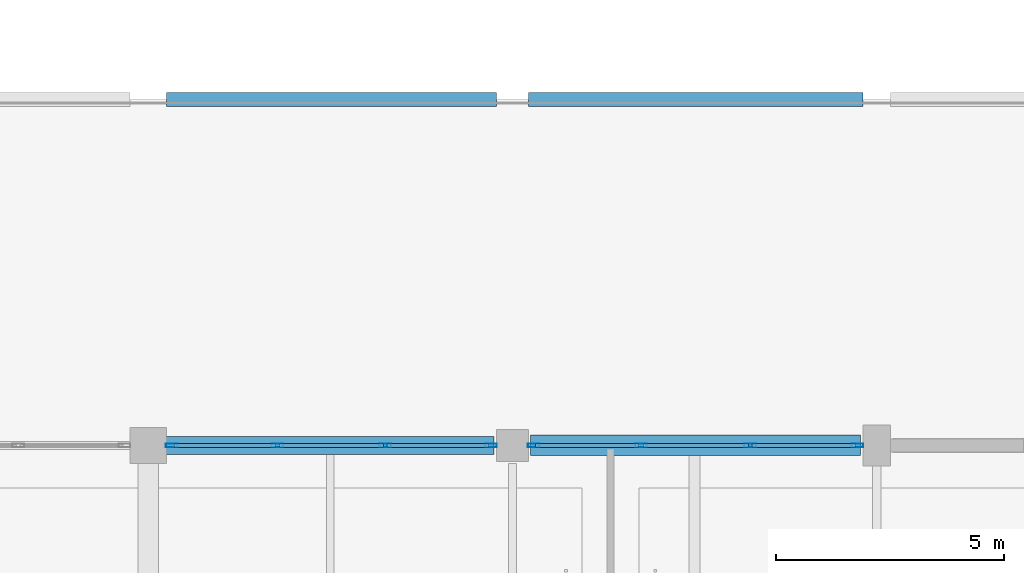
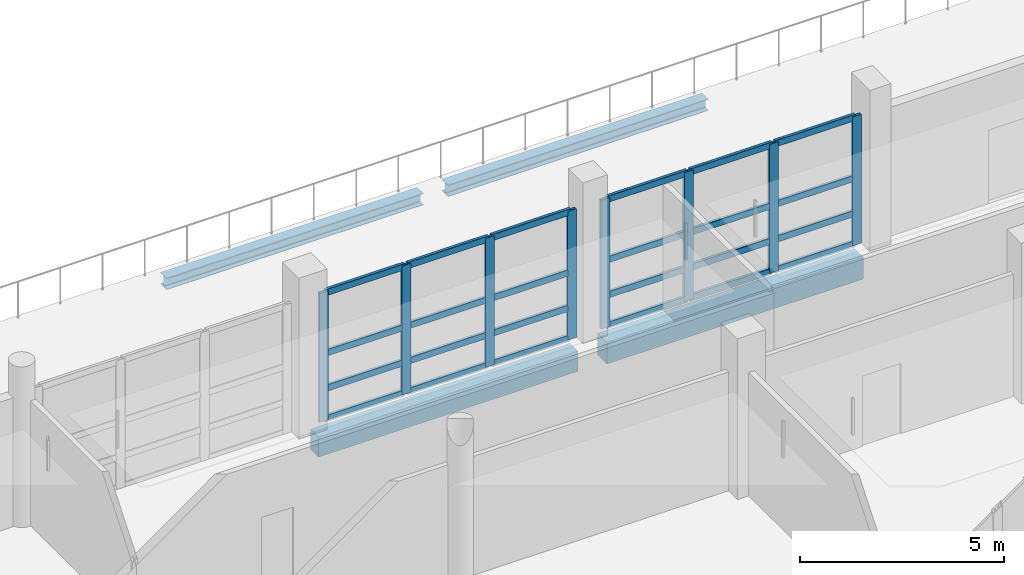
# One storey, part 31 of 147: 32 members, 4 beams, 2 elements without a shape of their own.
"""IFC4 building model written with IfcOpenShell, lengths in metres."""

from ifc_helpers import new_model, si_unit, direction, frame, origin, origin_2d, place, context, subcontext, project, spatial, rectangle, hollow_rectangle, i_section, extrude, material, material_profile, profile_set, type_object, element, aggregate, save


model = new_model("IFC4")

# Units and contexts
model_context = context("Model", 3, precision=1e-05, world=origin(), true_north=direction((0.0, 1.0)))
body_context = subcontext(model_context, "Body", "Model", "MODEL_VIEW")
ifc_project = project(units=[si_unit("LENGTHUNIT", "METRE"), si_unit("AREAUNIT", "SQUARE_METRE"), si_unit("VOLUMEUNIT", "CUBIC_METRE"), si_unit("PLANEANGLEUNIT", "RADIAN"), si_unit("MASSUNIT", "GRAM", prefix="KILO")], contexts=[model_context])

# Site, building, storey
site_placement = place(None, origin())
site = spatial("IfcSite", under=ifc_project, at=site_placement, CompositionType="ELEMENT")
building_placement = place(site_placement, origin())
building = spatial("IfcBuilding", under=site, at=building_placement, Name="Khelvaren Railside Concert Hall", CompositionType="ELEMENT")
storey_placement = place(building_placement, frame((0.0, 0.0, 5.39990234375)))
storey = spatial("IfcBuildingStorey", under=building, at=storey_placement, Name="L01", CompositionType="ELEMENT", Elevation=5.39990234375)

# Curtain wall, members
ifc_material_1 = material(Name="Acoustic laminated crystal facade glass", Category="glass")
curtain_wall_type_1 = type_object("IfcCurtainWallType", Name="CW21", PredefinedType="USERDEFINED", material=ifc_material_1)
curtain_wall_1_placement = place(storey_placement, origin())
curtain_wall_1 = element("IfcCurtainWall", 1, at=curtain_wall_1_placement, inside=storey, type_object=curtain_wall_type_1, Name="Unitised Curtain Wall CW-V3-L01-N-96", ObjectType="UNITISED CURTAIN WALL", PredefinedType="USERDEFINED")
ifc_material_2 = material(Name="Anodised architectural aluminium 6063-T6", Category="aluminium")
ifc_material_profile_1 = material_profile(ifc_material_2, hollow_rectangle(XDim=0.0849609375, YDim=0.260009765625, WallThickness=0.0048828125, InnerFilletRadius=0.0029296875, OuterFilletRadius=0.0048828125, at=origin_2d()), Name="CWM 85x260x5")
ifc_profile_set_1 = profile_set([ifc_material_profile_1], Name="Anodised architectural aluminium 6063-T6")
member_type_1 = type_object("IfcMemberType", Name="CWM40", PredefinedType="MULLION", material=ifc_profile_set_1)
member_1_placement = place(storey_placement, frame((96.52001953125, 15.199951171875, 0.0), z_axis=(0.0, 0.0, 1.0), x_axis=(0.0, 1.0, 0.0)))
member_1 = element("IfcMember", 2, at=member_1_placement, type_object=member_type_1, Name="CW21 mullion 1", PredefinedType="MULLION", context=body_context, shape_type="SweptSolid", body=[
    extrude(hollow_rectangle(XDim=0.0849609375, YDim=0.260009765625, WallThickness=0.0048828125, InnerFilletRadius=0.0029296875, OuterFilletRadius=0.0048828125, at=origin_2d()), origin(), (0.0, 0.0, 1.0), 3.85009765625),
])
member_2_placement = place(storey_placement, frame((98.842529296875, 15.199951171875, 0.0), z_axis=(0.0, 0.0, 1.0), x_axis=(0.0, 1.0, 0.0)))
member_2 = element("IfcMember", 3, at=member_2_placement, type_object=member_type_1, Name="CW21 mullion 2", PredefinedType="MULLION", context=body_context, shape_type="SweptSolid", body=[
    extrude(hollow_rectangle(XDim=0.0849609375, YDim=0.260009765625, WallThickness=0.0048828125, InnerFilletRadius=0.0029296875, OuterFilletRadius=0.0048828125, at=origin_2d()), origin(), (0.0, 0.0, 1.0), 3.85009765625),
])
member_3_placement = place(storey_placement, frame((101.20751953125, 15.199951171875, 0.0), z_axis=(0.0, 0.0, 1.0), x_axis=(0.0, 1.0, 0.0)))
member_3 = element("IfcMember", 4, at=member_3_placement, type_object=member_type_1, Name="CW21 mullion 3", PredefinedType="MULLION", context=body_context, shape_type="SweptSolid", body=[
    extrude(hollow_rectangle(XDim=0.0849609375, YDim=0.260009765625, WallThickness=0.0048828125, InnerFilletRadius=0.0029296875, OuterFilletRadius=0.0048828125, at=origin_2d()), origin(), (0.0, 0.0, 1.0), 3.85009765625),
])
member_4_placement = place(storey_placement, frame((103.530029296875, 15.199951171875, 0.0), z_axis=(0.0, 0.0, 1.0), x_axis=(0.0, 1.0, 0.0)))
member_4 = element("IfcMember", 5, at=member_4_placement, type_object=member_type_1, Name="CW21 mullion 4", PredefinedType="MULLION", context=body_context, shape_type="SweptSolid", body=[
    extrude(hollow_rectangle(XDim=0.0849609375, YDim=0.260009765625, WallThickness=0.0048828125, InnerFilletRadius=0.0029296875, OuterFilletRadius=0.0048828125, at=origin_2d()), origin(), (0.0, 0.0, 1.0), 3.85009765625),
])

curtain_wall_type_2 = type_object("IfcCurtainWallType", Name="CW15", PredefinedType="USERDEFINED", material=ifc_material_1)
curtain_wall_2_placement = place(storey_placement, origin())
curtain_wall_2 = element("IfcCurtainWall", 6, at=curtain_wall_2_placement, inside=storey, type_object=curtain_wall_type_2, Name="Unitised Curtain Wall CW-V3-L01-N-104", ObjectType="UNITISED CURTAIN WALL", PredefinedType="USERDEFINED")
member_5_placement = place(storey_placement, frame((104.469970703125, 15.199951171875, 0.0), z_axis=(0.0, 0.0, 1.0), x_axis=(0.0, 1.0, 0.0)))
member_5 = element("IfcMember", 7, at=member_5_placement, type_object=member_type_1, Name="CW15 mullion 1", PredefinedType="MULLION", context=body_context, shape_type="SweptSolid", body=[
    extrude(hollow_rectangle(XDim=0.0849609375, YDim=0.260009765625, WallThickness=0.0048828125, InnerFilletRadius=0.0029296875, OuterFilletRadius=0.0048828125, at=origin_2d()), origin(), (0.0, 0.0, 1.0), 3.85009765625),
])
member_6_placement = place(storey_placement, frame((106.825927734375, 15.199951171875, 0.0), z_axis=(0.0, 0.0, 1.0), x_axis=(0.0, 1.0, 0.0)))
member_6 = element("IfcMember", 8, at=member_6_placement, type_object=member_type_1, Name="CW15 mullion 2", PredefinedType="MULLION", context=body_context, shape_type="SweptSolid", body=[
    extrude(hollow_rectangle(XDim=0.0849609375, YDim=0.260009765625, WallThickness=0.0048828125, InnerFilletRadius=0.0029296875, OuterFilletRadius=0.0048828125, at=origin_2d()), origin(), (0.0, 0.0, 1.0), 3.85009765625),
])
member_7_placement = place(storey_placement, frame((109.22412109375, 15.199951171875, 0.0), z_axis=(0.0, 0.0, 1.0), x_axis=(0.0, 1.0, 0.0)))
member_7 = element("IfcMember", 9, at=member_7_placement, type_object=member_type_1, Name="CW15 mullion 3", PredefinedType="MULLION", context=body_context, shape_type="SweptSolid", body=[
    extrude(hollow_rectangle(XDim=0.0849609375, YDim=0.260009765625, WallThickness=0.0048828125, InnerFilletRadius=0.0029296875, OuterFilletRadius=0.0048828125, at=origin_2d()), origin(), (0.0, 0.0, 1.0), 3.85009765625),
])
member_8_placement = place(storey_placement, frame((111.580078125, 15.199951171875, 0.0), z_axis=(0.0, 0.0, 1.0), x_axis=(0.0, 1.0, 0.0)))
member_8 = element("IfcMember", 10, at=member_8_placement, type_object=member_type_1, Name="CW15 mullion 4", PredefinedType="MULLION", context=body_context, shape_type="SweptSolid", body=[
    extrude(hollow_rectangle(XDim=0.0849609375, YDim=0.260009765625, WallThickness=0.0048828125, InnerFilletRadius=0.0029296875, OuterFilletRadius=0.0048828125, at=origin_2d()), origin(), (0.0, 0.0, 1.0), 3.85009765625),
])

# Member
ifc_material_profile_2 = material_profile(ifc_material_2, hollow_rectangle(XDim=0.0849609375, YDim=0.18994140625, WallThickness=0.0048828125, InnerFilletRadius=0.0029296875, OuterFilletRadius=0.0048828125, at=origin_2d()), Name="CWT 85x190x5")
ifc_profile_set_2 = profile_set([ifc_material_profile_2], Name="Anodised architectural aluminium 6063-T6")
member_type_2 = type_object("IfcMemberType", Name="CWT31", PredefinedType="USERDEFINED", material=ifc_profile_set_2)
member_9_placement = place(storey_placement, frame((96.5625, 15.199951171875, 0.04248046875), z_axis=(1.0, 0.0, 0.0), x_axis=(0.0, 1.0, 0.0)))
member_9 = element("IfcMember", 11, at=member_9_placement, type_object=member_type_2, Name="CW21 transom 1.1", ObjectType="TRANSOM", PredefinedType="USERDEFINED", context=body_context, shape_type="SweptSolid", body=[
    extrude(hollow_rectangle(XDim=0.0849609375, YDim=0.18994140625, WallThickness=0.0048828125, InnerFilletRadius=0.0029296875, OuterFilletRadius=0.0048828125, at=origin_2d()), origin(), (0.0, 0.0, 1.0), 2.237548828125),
])

member_10_placement = place(storey_placement, frame((96.5625, 15.199951171875, 0.9501953125), z_axis=(1.0, 0.0, 0.0), x_axis=(0.0, 1.0, 0.0)))
member_10 = element("IfcMember", 12, at=member_10_placement, type_object=member_type_2, Name="CW21 transom 1.2", ObjectType="TRANSOM", PredefinedType="USERDEFINED", context=body_context, shape_type="SweptSolid", body=[
    extrude(hollow_rectangle(XDim=0.0849609375, YDim=0.18994140625, WallThickness=0.0048828125, InnerFilletRadius=0.0029296875, OuterFilletRadius=0.0048828125, at=origin_2d()), origin(), (0.0, 0.0, 1.0), 2.237548828125),
])

member_11_placement = place(storey_placement, frame((96.5625, 15.199951171875, 2.002197265625), z_axis=(1.0, 0.0, 0.0), x_axis=(0.0, 1.0, 0.0)))
member_11 = element("IfcMember", 13, at=member_11_placement, type_object=member_type_2, Name="CW21 transom 1.3", ObjectType="TRANSOM", PredefinedType="USERDEFINED", context=body_context, shape_type="SweptSolid", body=[
    extrude(hollow_rectangle(XDim=0.0849609375, YDim=0.18994140625, WallThickness=0.0048828125, InnerFilletRadius=0.0029296875, OuterFilletRadius=0.0048828125, at=origin_2d()), origin(), (0.0, 0.0, 1.0), 2.237548828125),
])

member_12_placement = place(storey_placement, frame((96.5625, 15.199951171875, 3.8076171875), z_axis=(1.0, 0.0, 0.0), x_axis=(0.0, 1.0, 0.0)))
member_12 = element("IfcMember", 14, at=member_12_placement, type_object=member_type_2, Name="CW21 transom 1.4", ObjectType="TRANSOM", PredefinedType="USERDEFINED", context=body_context, shape_type="SweptSolid", body=[
    extrude(hollow_rectangle(XDim=0.0849609375, YDim=0.18994140625, WallThickness=0.0048828125, InnerFilletRadius=0.0029296875, OuterFilletRadius=0.0048828125, at=origin_2d()), origin(), (0.0, 0.0, 1.0), 2.237548828125),
])

member_13_placement = place(storey_placement, frame((98.885009765625, 15.199951171875, 0.04248046875), z_axis=(1.0, 0.0, 0.0), x_axis=(0.0, 1.0, 0.0)))
member_13 = element("IfcMember", 15, at=member_13_placement, type_object=member_type_2, Name="CW21 transom 2.1", ObjectType="TRANSOM", PredefinedType="USERDEFINED", context=body_context, shape_type="SweptSolid", body=[
    extrude(hollow_rectangle(XDim=0.0849609375, YDim=0.18994140625, WallThickness=0.0048828125, InnerFilletRadius=0.0029296875, OuterFilletRadius=0.0048828125, at=origin_2d()), origin(), (0.0, 0.0, 1.0), 2.280029296875),
])

member_14_placement = place(storey_placement, frame((98.885009765625, 15.199951171875, 0.9501953125), z_axis=(1.0, 0.0, 0.0), x_axis=(0.0, 1.0, 0.0)))
member_14 = element("IfcMember", 16, at=member_14_placement, type_object=member_type_2, Name="CW21 transom 2.2", ObjectType="TRANSOM", PredefinedType="USERDEFINED", context=body_context, shape_type="SweptSolid", body=[
    extrude(hollow_rectangle(XDim=0.0849609375, YDim=0.18994140625, WallThickness=0.0048828125, InnerFilletRadius=0.0029296875, OuterFilletRadius=0.0048828125, at=origin_2d()), origin(), (0.0, 0.0, 1.0), 2.280029296875),
])

member_15_placement = place(storey_placement, frame((98.885009765625, 15.199951171875, 2.002197265625), z_axis=(1.0, 0.0, 0.0), x_axis=(0.0, 1.0, 0.0)))
member_15 = element("IfcMember", 17, at=member_15_placement, type_object=member_type_2, Name="CW21 transom 2.3", ObjectType="TRANSOM", PredefinedType="USERDEFINED", context=body_context, shape_type="SweptSolid", body=[
    extrude(hollow_rectangle(XDim=0.0849609375, YDim=0.18994140625, WallThickness=0.0048828125, InnerFilletRadius=0.0029296875, OuterFilletRadius=0.0048828125, at=origin_2d()), origin(), (0.0, 0.0, 1.0), 2.280029296875),
])

member_16_placement = place(storey_placement, frame((98.885009765625, 15.199951171875, 3.8076171875), z_axis=(1.0, 0.0, 0.0), x_axis=(0.0, 1.0, 0.0)))
member_16 = element("IfcMember", 18, at=member_16_placement, type_object=member_type_2, Name="CW21 transom 2.4", ObjectType="TRANSOM", PredefinedType="USERDEFINED", context=body_context, shape_type="SweptSolid", body=[
    extrude(hollow_rectangle(XDim=0.0849609375, YDim=0.18994140625, WallThickness=0.0048828125, InnerFilletRadius=0.0029296875, OuterFilletRadius=0.0048828125, at=origin_2d()), origin(), (0.0, 0.0, 1.0), 2.280029296875),
])

member_17_placement = place(storey_placement, frame((101.25, 15.199951171875, 0.04248046875), z_axis=(1.0, 0.0, 0.0), x_axis=(0.0, 1.0, 0.0)))
member_17 = element("IfcMember", 19, at=member_17_placement, type_object=member_type_2, Name="CW21 transom 3.1", ObjectType="TRANSOM", PredefinedType="USERDEFINED", context=body_context, shape_type="SweptSolid", body=[
    extrude(hollow_rectangle(XDim=0.0849609375, YDim=0.18994140625, WallThickness=0.0048828125, InnerFilletRadius=0.0029296875, OuterFilletRadius=0.0048828125, at=origin_2d()), origin(), (0.0, 0.0, 1.0), 2.237548828125),
])

member_18_placement = place(storey_placement, frame((101.25, 15.199951171875, 0.9501953125), z_axis=(1.0, 0.0, 0.0), x_axis=(0.0, 1.0, 0.0)))
member_18 = element("IfcMember", 20, at=member_18_placement, type_object=member_type_2, Name="CW21 transom 3.2", ObjectType="TRANSOM", PredefinedType="USERDEFINED", context=body_context, shape_type="SweptSolid", body=[
    extrude(hollow_rectangle(XDim=0.0849609375, YDim=0.18994140625, WallThickness=0.0048828125, InnerFilletRadius=0.0029296875, OuterFilletRadius=0.0048828125, at=origin_2d()), origin(), (0.0, 0.0, 1.0), 2.237548828125),
])

member_19_placement = place(storey_placement, frame((101.25, 15.199951171875, 2.002197265625), z_axis=(1.0, 0.0, 0.0), x_axis=(0.0, 1.0, 0.0)))
member_19 = element("IfcMember", 21, at=member_19_placement, type_object=member_type_2, Name="CW21 transom 3.3", ObjectType="TRANSOM", PredefinedType="USERDEFINED", context=body_context, shape_type="SweptSolid", body=[
    extrude(hollow_rectangle(XDim=0.0849609375, YDim=0.18994140625, WallThickness=0.0048828125, InnerFilletRadius=0.0029296875, OuterFilletRadius=0.0048828125, at=origin_2d()), origin(), (0.0, 0.0, 1.0), 2.237548828125),
])

member_20_placement = place(storey_placement, frame((101.25, 15.199951171875, 3.8076171875), z_axis=(1.0, 0.0, 0.0), x_axis=(0.0, 1.0, 0.0)))
member_20 = element("IfcMember", 22, at=member_20_placement, type_object=member_type_2, Name="CW21 transom 3.4", ObjectType="TRANSOM", PredefinedType="USERDEFINED", context=body_context, shape_type="SweptSolid", body=[
    extrude(hollow_rectangle(XDim=0.0849609375, YDim=0.18994140625, WallThickness=0.0048828125, InnerFilletRadius=0.0029296875, OuterFilletRadius=0.0048828125, at=origin_2d()), origin(), (0.0, 0.0, 1.0), 2.237548828125),
])

aggregate(curtain_wall_1, [member_1, member_2, member_3, member_4, member_9, member_10, member_11, member_12, member_13, member_14, member_15, member_16, member_17, member_18, member_19, member_20])

member_21_placement = place(storey_placement, frame((104.512451171875, 15.199951171875, 0.04248046875), z_axis=(1.0, 0.0, 0.0), x_axis=(0.0, 1.0, 0.0)))
member_21 = element("IfcMember", 23, at=member_21_placement, type_object=member_type_2, Name="CW15 transom 1.1", ObjectType="TRANSOM", PredefinedType="USERDEFINED", context=body_context, shape_type="SweptSolid", body=[
    extrude(hollow_rectangle(XDim=0.0849609375, YDim=0.18994140625, WallThickness=0.0048828125, InnerFilletRadius=0.0029296875, OuterFilletRadius=0.0048828125, at=origin_2d()), origin(), (0.0, 0.0, 1.0), 2.27099609375),
])

member_22_placement = place(storey_placement, frame((104.512451171875, 15.199951171875, 0.9501953125), z_axis=(1.0, 0.0, 0.0), x_axis=(0.0, 1.0, 0.0)))
member_22 = element("IfcMember", 24, at=member_22_placement, type_object=member_type_2, Name="CW15 transom 1.2", ObjectType="TRANSOM", PredefinedType="USERDEFINED", context=body_context, shape_type="SweptSolid", body=[
    extrude(hollow_rectangle(XDim=0.0849609375, YDim=0.18994140625, WallThickness=0.0048828125, InnerFilletRadius=0.0029296875, OuterFilletRadius=0.0048828125, at=origin_2d()), origin(), (0.0, 0.0, 1.0), 2.27099609375),
])

member_23_placement = place(storey_placement, frame((104.512451171875, 15.199951171875, 2.002197265625), z_axis=(1.0, 0.0, 0.0), x_axis=(0.0, 1.0, 0.0)))
member_23 = element("IfcMember", 25, at=member_23_placement, type_object=member_type_2, Name="CW15 transom 1.3", ObjectType="TRANSOM", PredefinedType="USERDEFINED", context=body_context, shape_type="SweptSolid", body=[
    extrude(hollow_rectangle(XDim=0.0849609375, YDim=0.18994140625, WallThickness=0.0048828125, InnerFilletRadius=0.0029296875, OuterFilletRadius=0.0048828125, at=origin_2d()), origin(), (0.0, 0.0, 1.0), 2.27099609375),
])

member_24_placement = place(storey_placement, frame((104.512451171875, 15.199951171875, 3.8076171875), z_axis=(1.0, 0.0, 0.0), x_axis=(0.0, 1.0, 0.0)))
member_24 = element("IfcMember", 26, at=member_24_placement, type_object=member_type_2, Name="CW15 transom 1.4", ObjectType="TRANSOM", PredefinedType="USERDEFINED", context=body_context, shape_type="SweptSolid", body=[
    extrude(hollow_rectangle(XDim=0.0849609375, YDim=0.18994140625, WallThickness=0.0048828125, InnerFilletRadius=0.0029296875, OuterFilletRadius=0.0048828125, at=origin_2d()), origin(), (0.0, 0.0, 1.0), 2.27099609375),
])

member_25_placement = place(storey_placement, frame((106.868408203125, 15.199951171875, 0.04248046875), z_axis=(1.0, 0.0, 0.0), x_axis=(0.0, 1.0, 0.0)))
member_25 = element("IfcMember", 27, at=member_25_placement, type_object=member_type_2, Name="CW15 transom 2.1", ObjectType="TRANSOM", PredefinedType="USERDEFINED", context=body_context, shape_type="SweptSolid", body=[
    extrude(hollow_rectangle(XDim=0.0849609375, YDim=0.18994140625, WallThickness=0.0048828125, InnerFilletRadius=0.0029296875, OuterFilletRadius=0.0048828125, at=origin_2d()), origin(), (0.0, 0.0, 1.0), 2.313232421875),
])

member_26_placement = place(storey_placement, frame((106.868408203125, 15.199951171875, 0.9501953125), z_axis=(1.0, 0.0, 0.0), x_axis=(0.0, 1.0, 0.0)))
member_26 = element("IfcMember", 28, at=member_26_placement, type_object=member_type_2, Name="CW15 transom 2.2", ObjectType="TRANSOM", PredefinedType="USERDEFINED", context=body_context, shape_type="SweptSolid", body=[
    extrude(hollow_rectangle(XDim=0.0849609375, YDim=0.18994140625, WallThickness=0.0048828125, InnerFilletRadius=0.0029296875, OuterFilletRadius=0.0048828125, at=origin_2d()), origin(), (0.0, 0.0, 1.0), 2.313232421875),
])

member_27_placement = place(storey_placement, frame((106.868408203125, 15.199951171875, 2.002197265625), z_axis=(1.0, 0.0, 0.0), x_axis=(0.0, 1.0, 0.0)))
member_27 = element("IfcMember", 29, at=member_27_placement, type_object=member_type_2, Name="CW15 transom 2.3", ObjectType="TRANSOM", PredefinedType="USERDEFINED", context=body_context, shape_type="SweptSolid", body=[
    extrude(hollow_rectangle(XDim=0.0849609375, YDim=0.18994140625, WallThickness=0.0048828125, InnerFilletRadius=0.0029296875, OuterFilletRadius=0.0048828125, at=origin_2d()), origin(), (0.0, 0.0, 1.0), 2.313232421875),
])

member_28_placement = place(storey_placement, frame((106.868408203125, 15.199951171875, 3.8076171875), z_axis=(1.0, 0.0, 0.0), x_axis=(0.0, 1.0, 0.0)))
member_28 = element("IfcMember", 30, at=member_28_placement, type_object=member_type_2, Name="CW15 transom 2.4", ObjectType="TRANSOM", PredefinedType="USERDEFINED", context=body_context, shape_type="SweptSolid", body=[
    extrude(hollow_rectangle(XDim=0.0849609375, YDim=0.18994140625, WallThickness=0.0048828125, InnerFilletRadius=0.0029296875, OuterFilletRadius=0.0048828125, at=origin_2d()), origin(), (0.0, 0.0, 1.0), 2.313232421875),
])

member_29_placement = place(storey_placement, frame((109.2666015625, 15.199951171875, 0.04248046875), z_axis=(1.0, 0.0, 0.0), x_axis=(0.0, 1.0, 0.0)))
member_29 = element("IfcMember", 31, at=member_29_placement, type_object=member_type_2, Name="CW15 transom 3.1", ObjectType="TRANSOM", PredefinedType="USERDEFINED", context=body_context, shape_type="SweptSolid", body=[
    extrude(hollow_rectangle(XDim=0.0849609375, YDim=0.18994140625, WallThickness=0.0048828125, InnerFilletRadius=0.0029296875, OuterFilletRadius=0.0048828125, at=origin_2d()), origin(), (0.0, 0.0, 1.0), 2.27099609375),
])

member_30_placement = place(storey_placement, frame((109.2666015625, 15.199951171875, 0.9501953125), z_axis=(1.0, 0.0, 0.0), x_axis=(0.0, 1.0, 0.0)))
member_30 = element("IfcMember", 32, at=member_30_placement, type_object=member_type_2, Name="CW15 transom 3.2", ObjectType="TRANSOM", PredefinedType="USERDEFINED", context=body_context, shape_type="SweptSolid", body=[
    extrude(hollow_rectangle(XDim=0.0849609375, YDim=0.18994140625, WallThickness=0.0048828125, InnerFilletRadius=0.0029296875, OuterFilletRadius=0.0048828125, at=origin_2d()), origin(), (0.0, 0.0, 1.0), 2.27099609375),
])

member_31_placement = place(storey_placement, frame((109.2666015625, 15.199951171875, 2.002197265625), z_axis=(1.0, 0.0, 0.0), x_axis=(0.0, 1.0, 0.0)))
member_31 = element("IfcMember", 33, at=member_31_placement, type_object=member_type_2, Name="CW15 transom 3.3", ObjectType="TRANSOM", PredefinedType="USERDEFINED", context=body_context, shape_type="SweptSolid", body=[
    extrude(hollow_rectangle(XDim=0.0849609375, YDim=0.18994140625, WallThickness=0.0048828125, InnerFilletRadius=0.0029296875, OuterFilletRadius=0.0048828125, at=origin_2d()), origin(), (0.0, 0.0, 1.0), 2.27099609375),
])

member_32_placement = place(storey_placement, frame((109.2666015625, 15.199951171875, 3.8076171875), z_axis=(1.0, 0.0, 0.0), x_axis=(0.0, 1.0, 0.0)))
member_32 = element("IfcMember", 34, at=member_32_placement, type_object=member_type_2, Name="CW15 transom 3.4", ObjectType="TRANSOM", PredefinedType="USERDEFINED", context=body_context, shape_type="SweptSolid", body=[
    extrude(hollow_rectangle(XDim=0.0849609375, YDim=0.18994140625, WallThickness=0.0048828125, InnerFilletRadius=0.0029296875, OuterFilletRadius=0.0048828125, at=origin_2d()), origin(), (0.0, 0.0, 1.0), 2.27099609375),
])

aggregate(curtain_wall_2, [member_5, member_6, member_7, member_8, member_21, member_22, member_23, member_24, member_25, member_26, member_27, member_28, member_29, member_30, member_31, member_32])

# Beams
ifc_material_3 = material(Name="Concrete C40/50", Category="concrete")
ifc_material_profile_3 = material_profile(ifc_material_3, rectangle(XDim=0.449951171875, YDim=0.64990234375, at=origin_2d()), Name="RCB 450x650")
ifc_profile_set_3 = profile_set([ifc_material_profile_3], Name="Concrete C40/50")
beam_type_1 = type_object("IfcBeamType", Name="SP34", PredefinedType="SPANDREL", material=ifc_profile_set_3)
beam_1_placement = place(storey_placement, frame((104.39990234375, 15.199951171875, -0.625), z_axis=(1.0, 0.0, 0.0), x_axis=(0.0, 1.0, 0.0)))
element("IfcBeam", 35, at=beam_1_placement, inside=storey, type_object=beam_type_1, Name="V3 L01 Spandrel X3.6", PredefinedType="SPANDREL", context=body_context, shape_type="SweptSolid", body=[
    extrude(rectangle(XDim=0.449951171875, YDim=0.64990234375, at=origin_2d()), origin(), (0.0, 0.0, 1.0), 7.25),
])
ifc_material_4 = material(Name="Steel S355", Category="steel")
ifc_material_profile_4 = material_profile(ifc_material_4, i_section(OverallWidth=0.300048828125, OverallDepth=0.35009765625, WebThickness=0.010009765625, FlangeThickness=0.017578125, FilletRadius=0.027099609375, at=origin_2d()), Name="HEA 360")
ifc_profile_set_4 = profile_set([ifc_material_profile_4], Name="Steel S355")
beam_type_2 = type_object("IfcBeamType", Name="SP38", PredefinedType="SPANDREL", material=ifc_profile_set_4)
beam_2_placement = place(storey_placement, frame((96.39990234375, 22.800048828125, -0.414794921875), z_axis=(1.0, 0.0, 0.0), x_axis=(0.0, 1.0, 0.0)))
element("IfcBeam", 36, at=beam_2_placement, inside=storey, type_object=beam_type_2, Name="V3 L01 Terrace Edge Spandrel 5", PredefinedType="SPANDREL", context=body_context, shape_type="SweptSolid", body=[
    extrude(i_section(OverallWidth=0.300048828125, OverallDepth=0.35009765625, WebThickness=0.010009765625, FlangeThickness=0.017578125, FilletRadius=0.027099609375, at=origin_2d()), origin(), (0.0, 0.0, 1.0), 7.25),
])
beam_3_placement = place(storey_placement, frame((104.35009765625, 22.800048828125, -0.414794921875), z_axis=(1.0, 0.0, 0.0), x_axis=(0.0, 1.0, 0.0)))
element("IfcBeam", 37, at=beam_3_placement, inside=storey, type_object=beam_type_2, Name="V3 L01 Terrace Edge Spandrel 6", PredefinedType="SPANDREL", context=body_context, shape_type="SweptSolid", body=[
    extrude(i_section(OverallWidth=0.300048828125, OverallDepth=0.35009765625, WebThickness=0.010009765625, FlangeThickness=0.017578125, FilletRadius=0.027099609375, at=origin_2d()), origin(), (0.0, 0.0, 1.0), 7.349853515625),
])
ifc_material_profile_5 = material_profile(ifc_material_3, rectangle(XDim=0.39990234375, YDim=0.60009765625, at=origin_2d()), Name="RCB 400x600")
ifc_profile_set_5 = profile_set([ifc_material_profile_5], Name="Concrete C40/50")
beam_type_3 = type_object("IfcBeamType", Name="SP75", PredefinedType="SPANDREL", material=ifc_profile_set_5)
beam_4_placement = place(storey_placement, frame((96.27294921875, 15.199951171875, -0.599853515625), z_axis=(1.0, 0.0, 0.0), x_axis=(0.0, 1.0, 0.0)))
element("IfcBeam", 38, at=beam_4_placement, inside=storey, type_object=beam_type_3, Name="V3 L01 Spandrel X3.5", PredefinedType="SPANDREL", context=body_context, shape_type="SweptSolid", body=[
    extrude(rectangle(XDim=0.39990234375, YDim=0.60009765625, at=origin_2d()), origin(), (0.0, 0.0, 1.0), 7.3271484375),
])

save(model, "model.ifc")
